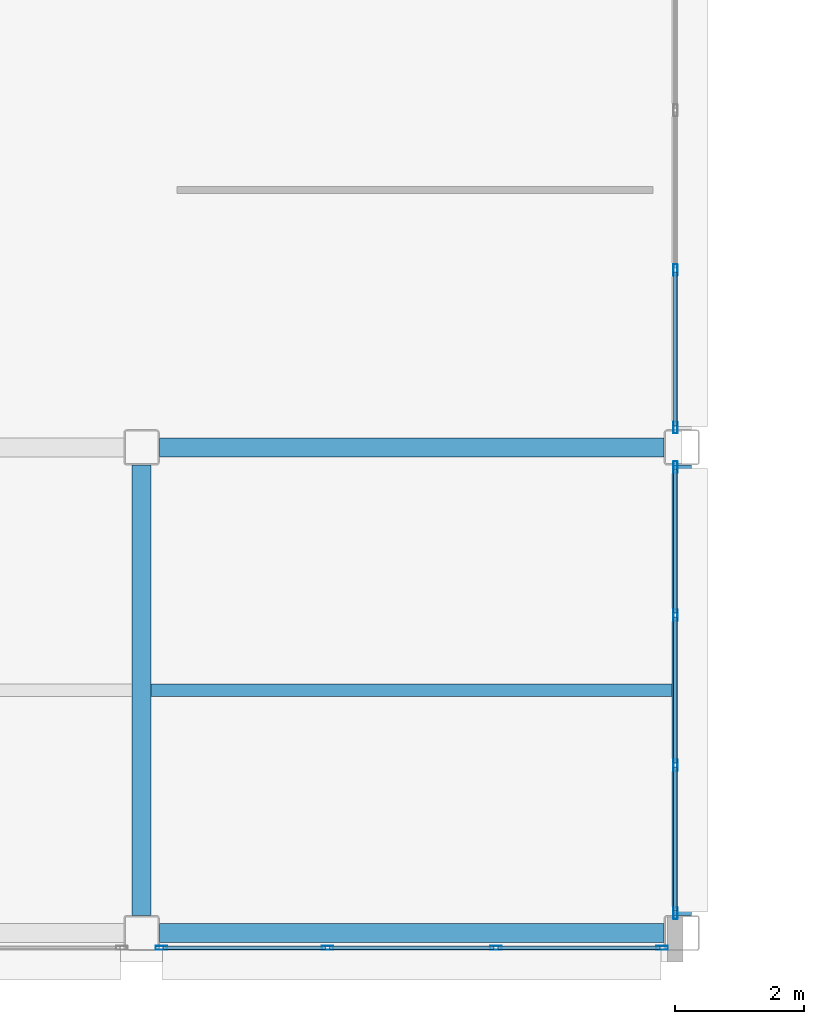
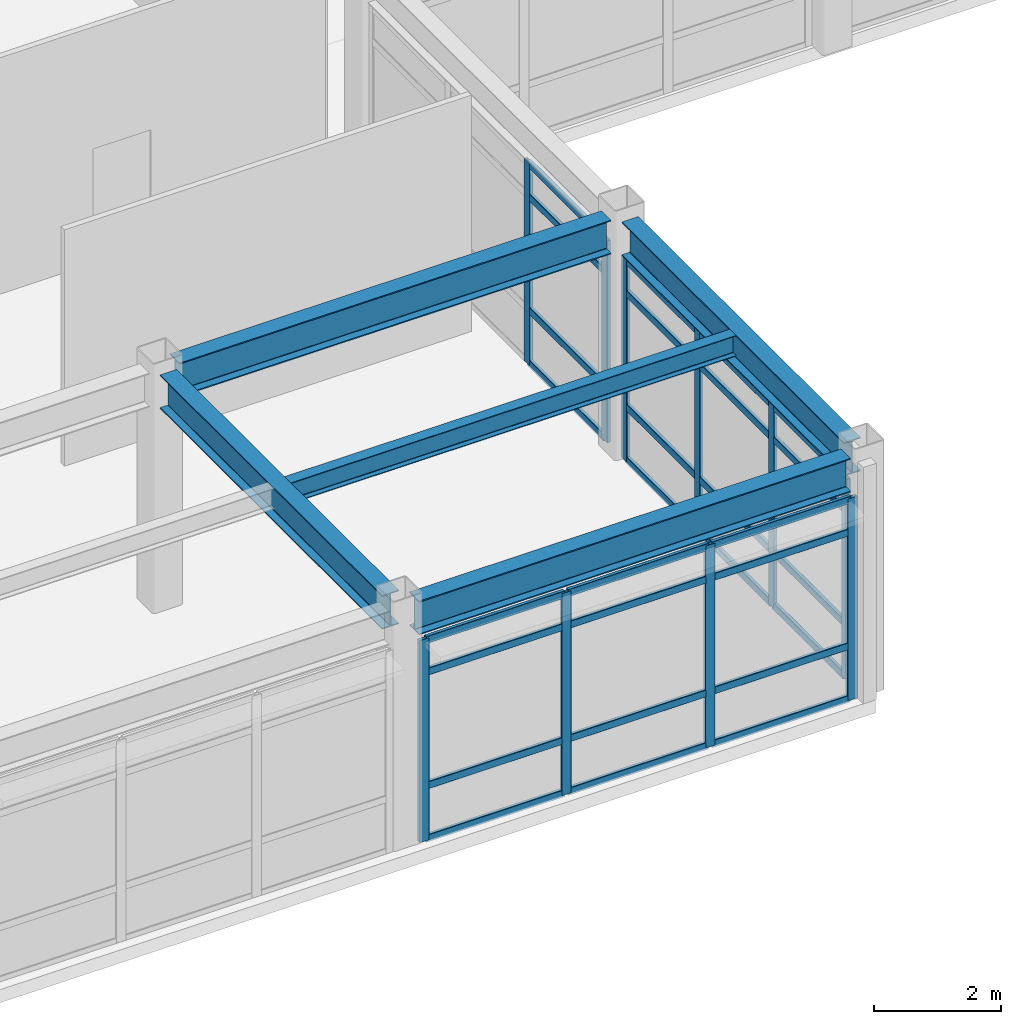
# One storey, part 37 of 154: 38 members, 5 beams, 3 elements without a shape of their own.
"""IFC4 building model written with IfcOpenShell, lengths in metres."""

import ifcopenshell
import ifcopenshell.guid

model = None  # the IFC model being written
_history = None  # IfcOwnerHistory: only IFC2X3 demands one
_inside = {}  # id of a spatial element -> (the spatial element, [elements in it])
_under = {}  # id of a project, library or spatial element -> (it, [spatial elements below it])
_declared = {}  # id of a project -> (the project, [libraries it declares])
_typed = {}  # id of a type object -> (the type object, [elements of that type])
_made_of = {}  # id of a material, layer set ... -> (it, [elements and type objects made of it])


def new_model(schema):
    """Start an empty IFC model of exactly this schema.

    Asked for "IFC4X3", IfcOpenShell would pick the latest addendum, in which some entities
    have other attributes; the version numbers below select the first issue.
    IFC2X3 requires an IfcOwnerHistory on every rooted entity: one is made here for all.
    """
    global model, _history
    if schema == "IFC4X3":
        model = ifcopenshell.file(schema_version=(4, 3, 0, 0))
    else:
        model = ifcopenshell.file(schema=schema)
    _inside.clear()
    _under.clear()
    _declared.clear()
    _typed.clear()
    _made_of.clear()
    _history = None
    if model.schema == "IFC2X3":
        org = make("IfcOrganization", Name="unknown")
        user = make(
            "IfcPersonAndOrganization",
            ThePerson=make("IfcPerson", FamilyName="unknown"),
            TheOrganization=org,
        )
        app = make(
            "IfcApplication",
            ApplicationDeveloper=org,
            Version="unknown",
            ApplicationFullName="unknown",
            ApplicationIdentifier="unknown",
        )
        _history = make(
            "IfcOwnerHistory",
            OwningUser=user,
            OwningApplication=app,
            ChangeAction="ADDED",
            CreationDate=0,
        )
    return model


def make(cls, **values):
    """One entity of the class cls with the attributes given. An attribute that is None is left unset."""
    return model.create_entity(
        cls, **{name: value for name, value in values.items() if value is not None}
    )


def rooted(cls, **values):
    """An entity with a GlobalId (a new one), such as an element, a storey or a relation."""
    return make(cls, GlobalId=ifcopenshell.guid.new(), OwnerHistory=_history, **values)


def si_unit(unit_type, name, prefix=None):
    """IfcSIUnit, for example si_unit("LENGTHUNIT", "METRE", prefix="MILLI")."""
    return make("IfcSIUnit", UnitType=unit_type, Prefix=prefix, Name=name)


def assignment(units):
    """IfcUnitAssignment: the units of a project."""
    return None if units is None else make("IfcUnitAssignment", Units=units)


def point(xyz):
    """IfcCartesianPoint."""
    return None if xyz is None else make("IfcCartesianPoint", Coordinates=xyz)


def direction(xyz):
    """IfcDirection."""
    return None if xyz is None else make("IfcDirection", DirectionRatios=xyz)


def frame(location, z_axis=None, x_axis=None):
    """IfcAxis2Placement3D, a coordinate frame: its origin and axes. An axis left out is left unset."""
    return make(
        "IfcAxis2Placement3D",
        Location=point(location),
        Axis=direction(z_axis),
        RefDirection=direction(x_axis),
    )


def frame_2d(location, x_axis=None):
    """IfcAxis2Placement2D, a coordinate frame in the plane: its origin and x axis."""
    return make(
        "IfcAxis2Placement2D", Location=point(location), RefDirection=direction(x_axis)
    )


def origin():
    """The frame at (0, 0, 0) with its axes left unset."""
    return frame((0.0, 0.0, 0.0))


def origin_2d():
    """The frame at (0, 0) in the plane with its x axis left unset."""
    return frame_2d((0.0, 0.0))


def place(relative_to, where):
    """IfcLocalPlacement: puts the frame where relative to a parent placement (None: the world)."""
    return make(
        "IfcLocalPlacement", PlacementRelTo=relative_to, RelativePlacement=where
    )


def context(
    kind, dimensions, precision=None, world=None, true_north=None, identifier=None
):
    """IfcGeometricRepresentationContext, for example the 3D "Model" context."""
    return make(
        "IfcGeometricRepresentationContext",
        ContextIdentifier=identifier,
        ContextType=kind,
        CoordinateSpaceDimension=dimensions,
        Precision=precision,
        WorldCoordinateSystem=world,
        TrueNorth=true_north,
    )


def subcontext(parent, identifier, kind, view, scale=None):
    """IfcGeometricRepresentationSubContext, for example "Body" below "Model"."""
    return make(
        "IfcGeometricRepresentationSubContext",
        ContextIdentifier=identifier,
        ContextType=kind,
        ParentContext=parent,
        TargetScale=scale,
        TargetView=view,
    )


def project(units=None, contexts=None):
    """IfcProject with its units and contexts."""
    return rooted(
        "IfcProject",
        Name="project",
        RepresentationContexts=contexts,
        UnitsInContext=assignment(units),
    )


def spatial(cls, under=None, at=None, **own):
    """A site, building, storey or space (cls), placed at a placement, below another one or the project."""
    s = rooted(cls, ObjectPlacement=at, **own)
    if under is not None:
        _under.setdefault(under.id(), (under, []))[1].append(s)
    return s


def profile(cls, at=None, kind="AREA", **sizes):
    """A parametric profile (cls). Its sizes go by their IFC names, for example OverallWidth=200.0."""
    return make(cls, ProfileType=kind, Position=at, **sizes)


def hollow_rectangle(**sizes):
    """IfcRectangleHollowProfileDef."""
    return profile("IfcRectangleHollowProfileDef", **sizes)


def i_section(**sizes):
    """IfcIShapeProfileDef."""
    return profile("IfcIShapeProfileDef", **sizes)


def extrude(swept, where, along, depth):
    """IfcExtrudedAreaSolid: the profile swept, set in the frame where, extruded along a direction by depth."""
    return make(
        "IfcExtrudedAreaSolid",
        SweptArea=swept,
        Position=where,
        ExtrudedDirection=direction(along),
        Depth=depth,
    )


def shape(context_of_items, identifier, shape_type, items):
    """IfcShapeRepresentation: the items that make up one representation, for example the "Body"."""
    return make(
        "IfcShapeRepresentation",
        ContextOfItems=context_of_items,
        RepresentationIdentifier=identifier,
        RepresentationType=shape_type,
        Items=items,
    )


def material(Name=None, Category=None):
    """IfcMaterial."""
    return make("IfcMaterial", Name=Name, Category=Category)


def layer(
    of_material, thickness, ventilated=None, Name=None, Category=None, Priority=None
):
    """IfcMaterialLayer: one layer of a wall or slab, of a material (None: an air gap)."""
    return make(
        "IfcMaterialLayer",
        Material=of_material,
        LayerThickness=thickness,
        IsVentilated=ventilated,
        Name=Name,
        Category=Category,
        Priority=Priority,
    )


def layer_set(layers, Name=None):
    """IfcMaterialLayerSet."""
    return make("IfcMaterialLayerSet", MaterialLayers=layers, LayerSetName=Name)


def material_profile(
    of_material, cross_section, Name=None, Category=None, Priority=None
):
    """IfcMaterialProfile: a cross section and its material."""
    return make(
        "IfcMaterialProfile",
        Name=Name,
        Material=of_material,
        Profile=cross_section,
        Priority=Priority,
        Category=Category,
    )


def profile_set(profiles, Name=None, composite=None):
    """IfcMaterialProfileSet."""
    return make(
        "IfcMaterialProfileSet",
        Name=Name,
        MaterialProfiles=profiles,
        CompositeProfile=composite,
    )


def made_of(thing, what):
    """Note that an element or type object is made of a material, layer set ...; save() writes the relation."""
    if what is not None:
        _made_of.setdefault(what.id(), (what, []))[1].append(thing)
    return thing


def type_object(cls, material=None, **own):
    """A type object (cls), such as IfcWallType, which elements share."""
    return made_of(rooted(cls, **own), material)


def element(
    cls,
    number,
    at=None,
    inside=None,
    cuts=None,
    type_object=None,
    material=None,
    context=None,
    identifier="Body",
    shape_type=None,
    held_by="IfcProductDefinitionShape",
    body=None,
    shapes=None,
    **own,
):
    """One element of the class cls, such as IfcWall. Its Tag is "e" and its number.

    at: its placement. inside: the storey or other place that contains it. cuts: it is an
    opening in that element (IfcRelVoidsElement). A single representation is given by context,
    identifier, shape_type and body (its items); several are given by shapes. held_by: the class
    of the entity that holds the representations. save() writes the other relations.
    """
    e = rooted(cls, Tag="e%d" % number, ObjectPlacement=at, **own)
    if body is not None:
        shapes = [shape(context, identifier, shape_type, body)]
    if shapes is not None:
        e.Representation = make(held_by, Representations=shapes)
    if inside is not None:
        _inside.setdefault(inside.id(), (inside, []))[1].append(e)
    if cuts is not None:
        rooted(
            "IfcRelVoidsElement", RelatingBuildingElement=cuts, RelatedOpeningElement=e
        )
    if type_object is not None:
        _typed.setdefault(type_object.id(), (type_object, []))[1].append(e)
    return made_of(e, material)


def aggregate(whole, parts):
    """IfcRelAggregates: a whole, such as a stair, and the parts it consists of."""
    return rooted("IfcRelAggregates", RelatingObject=whole, RelatedObjects=parts)


def save(model, path):
    """Write the relations noted so far, then the file.

    IfcRelAggregates (storeys below a building ...), IfcRelContainedInSpatialStructure (elements
    in a storey), IfcRelDefinesByType, IfcRelAssociatesMaterial and IfcRelDeclares: one each for
    every whole, place, type object, material and project.
    """
    for whole, parts in _under.values():
        aggregate(whole, parts)
    for where, things in _inside.values():
        rooted(
            "IfcRelContainedInSpatialStructure",
            RelatedElements=things,
            RelatingStructure=where,
        )
    for kind, things in _typed.values():
        rooted("IfcRelDefinesByType", RelatedObjects=things, RelatingType=kind)
    for what, things in _made_of.values():
        rooted("IfcRelAssociatesMaterial", RelatedObjects=things, RelatingMaterial=what)
    for by, libraries in _declared.values():
        rooted("IfcRelDeclares", RelatingContext=by, RelatedDefinitions=libraries)
    model.write(path)


model = new_model("IFC4")

# Units and contexts
model_context = context("Model", 3, precision=1e-05, world=origin(), true_north=direction((0.0, 1.0)))
body_context = subcontext(model_context, "Body", "Model", "MODEL_VIEW")
ifc_project = project(units=[si_unit("LENGTHUNIT", "METRE"), si_unit("AREAUNIT", "SQUARE_METRE"), si_unit("VOLUMEUNIT", "CUBIC_METRE"), si_unit("PLANEANGLEUNIT", "RADIAN"), si_unit("MASSUNIT", "GRAM", prefix="KILO")], contexts=[model_context])

# Site, building, storey
site_placement = place(None, origin())
site = spatial("IfcSite", under=ifc_project, at=site_placement, CompositionType="ELEMENT")
building_placement = place(site_placement, origin())
building = spatial("IfcBuilding", under=site, at=building_placement, Name="Kazehara Bluff Congress Hotel", CompositionType="ELEMENT")
storey_placement = place(building_placement, frame((0.0, 0.0, 10.199951171875)))
storey = spatial("IfcBuildingStorey", under=building, at=storey_placement, Name="L02", CompositionType="ELEMENT", Elevation=10.199951171875)

# Curtain wall, members
ifc_material_1 = material(Name="Anodised aluminium", Category="aluminium")
ifc_layer_1 = layer(ifc_material_1, 0.159912109375)
ifc_layer_set_1 = layer_set([ifc_layer_1], Name="Anodised aluminium")
curtain_wall_type_1 = type_object("IfcCurtainWallType", Name="TP-CW-117", PredefinedType="NOTDEFINED", material=ifc_layer_set_1)
curtain_wall_1_placement = place(storey_placement, origin())
curtain_wall_1 = element("IfcCurtainWall", 1, at=curtain_wall_1_placement, inside=storey, type_object=curtain_wall_type_1, Name="L02 curtain wall CW-117 CW-ENC-V4-L02-7185-22", PredefinedType="NOTDEFINED")
ifc_material_2 = material(Name="Anodised aluminium", Category="aluminium")
ifc_material_profile_1 = material_profile(ifc_material_2, hollow_rectangle(XDim=0.06494140625, YDim=0.179931640625, WallThickness=0.00390625, InnerFilletRadius=0.00390625, OuterFilletRadius=0.008056640625, at=origin_2d()))
ifc_profile_set_1 = profile_set([ifc_material_profile_1], Name="Anodised aluminium")
member_type_1 = type_object("IfcMemberType", Name="TP-CWM-02", PredefinedType="MULLION", material=ifc_profile_set_1)
member_1_placement = place(storey_placement, frame((75.742431640625, 0.219970703125, 0.0), z_axis=(0.0, 0.0, 1.0), x_axis=(0.0, -1.0, 0.0)))
member_1 = element("IfcMember", 2, at=member_1_placement, type_object=member_type_1, Name="CW-117 mullion 1", PredefinedType="MULLION", context=body_context, shape_type="SweptSolid", body=[
    extrude(hollow_rectangle(XDim=0.06494140625, YDim=0.179931640625, WallThickness=0.00390625, InnerFilletRadius=0.00390625, OuterFilletRadius=0.008056640625, at=origin_2d()), origin(), (0.0, 0.0, 1.0), 3.885009765625),
])
member_2_placement = place(storey_placement, frame((73.158447265625, 0.219970703125, 0.0), z_axis=(0.0, 0.0, 1.0), x_axis=(0.0, -1.0, 0.0)))
member_2 = element("IfcMember", 3, at=member_2_placement, type_object=member_type_1, Name="CW-117 mullion 2", PredefinedType="MULLION", context=body_context, shape_type="SweptSolid", body=[
    extrude(hollow_rectangle(XDim=0.06494140625, YDim=0.179931640625, WallThickness=0.00390625, InnerFilletRadius=0.00390625, OuterFilletRadius=0.008056640625, at=origin_2d()), origin(), (0.0, 0.0, 1.0), 3.885009765625),
])
member_3_placement = place(storey_placement, frame((70.541748046875, 0.219970703125, 0.0), z_axis=(0.0, 0.0, 1.0), x_axis=(0.0, -1.0, 0.0)))
member_3 = element("IfcMember", 4, at=member_3_placement, type_object=member_type_1, Name="CW-117 mullion 3", PredefinedType="MULLION", context=body_context, shape_type="SweptSolid", body=[
    extrude(hollow_rectangle(XDim=0.06494140625, YDim=0.179931640625, WallThickness=0.00390625, InnerFilletRadius=0.00390625, OuterFilletRadius=0.008056640625, at=origin_2d()), origin(), (0.0, 0.0, 1.0), 3.885009765625),
])
member_4_placement = place(storey_placement, frame((67.95751953125, 0.219970703125, 0.0), z_axis=(0.0, 0.0, 1.0), x_axis=(0.0, -1.0, 0.0)))
member_4 = element("IfcMember", 5, at=member_4_placement, type_object=member_type_1, Name="CW-117 mullion 4", PredefinedType="MULLION", context=body_context, shape_type="SweptSolid", body=[
    extrude(hollow_rectangle(XDim=0.06494140625, YDim=0.179931640625, WallThickness=0.00390625, InnerFilletRadius=0.00390625, OuterFilletRadius=0.008056640625, at=origin_2d()), origin(), (0.0, 0.0, 1.0), 3.885009765625),
])

ifc_material_3 = material(Name="Anodised aluminium", Category="aluminium")
ifc_layer_2 = layer(ifc_material_3, 0.159912109375)
ifc_layer_set_2 = layer_set([ifc_layer_2], Name="Anodised aluminium")
curtain_wall_type_2 = type_object("IfcCurtainWallType", Name="TP-CW-139", PredefinedType="NOTDEFINED", material=ifc_layer_set_2)
curtain_wall_2_placement = place(storey_placement, origin())
curtain_wall_2 = element("IfcCurtainWall", 6, at=curtain_wall_2_placement, inside=storey, type_object=curtain_wall_type_2, Name="L02 curtain wall CW-139 CW-ENC-V4-L02-7595-422", PredefinedType="NOTDEFINED")
member_5_placement = place(storey_placement, frame((75.949951171875, 7.6923828125, 0.0), z_axis=(0.0, 0.0, 1.0), x_axis=(1.0, 0.0, 0.0)))
member_5 = element("IfcMember", 7, at=member_5_placement, type_object=member_type_1, Name="CW-139 mullion 1", PredefinedType="MULLION", context=body_context, shape_type="SweptSolid", body=[
    extrude(hollow_rectangle(XDim=0.06494140625, YDim=0.179931640625, WallThickness=0.00390625, InnerFilletRadius=0.00390625, OuterFilletRadius=0.008056640625, at=origin_2d()), origin(), (0.0, 0.0, 1.0), 3.885009765625),
])
member_6_placement = place(storey_placement, frame((75.949951171875, 5.3916015625, 0.0), z_axis=(0.0, 0.0, 1.0), x_axis=(1.0, 0.0, 0.0)))
member_6 = element("IfcMember", 8, at=member_6_placement, type_object=member_type_1, Name="CW-139 mullion 2", PredefinedType="MULLION", context=body_context, shape_type="SweptSolid", body=[
    extrude(hollow_rectangle(XDim=0.06494140625, YDim=0.179931640625, WallThickness=0.00390625, InnerFilletRadius=0.00390625, OuterFilletRadius=0.008056640625, at=origin_2d()), origin(), (0.0, 0.0, 1.0), 3.885009765625),
])
member_7_placement = place(storey_placement, frame((75.949951171875, 3.058349609375, 0.0), z_axis=(0.0, 0.0, 1.0), x_axis=(1.0, 0.0, 0.0)))
member_7 = element("IfcMember", 9, at=member_7_placement, type_object=member_type_1, Name="CW-139 mullion 3", PredefinedType="MULLION", context=body_context, shape_type="SweptSolid", body=[
    extrude(hollow_rectangle(XDim=0.06494140625, YDim=0.179931640625, WallThickness=0.00390625, InnerFilletRadius=0.00390625, OuterFilletRadius=0.008056640625, at=origin_2d()), origin(), (0.0, 0.0, 1.0), 3.885009765625),
])
member_8_placement = place(storey_placement, frame((75.949951171875, 0.757568359375, 0.0), z_axis=(0.0, 0.0, 1.0), x_axis=(1.0, 0.0, 0.0)))
member_8 = element("IfcMember", 10, at=member_8_placement, type_object=member_type_1, Name="CW-139 mullion 4", PredefinedType="MULLION", context=body_context, shape_type="SweptSolid", body=[
    extrude(hollow_rectangle(XDim=0.06494140625, YDim=0.179931640625, WallThickness=0.00390625, InnerFilletRadius=0.00390625, OuterFilletRadius=0.008056640625, at=origin_2d()), origin(), (0.0, 0.0, 1.0), 3.885009765625),
])

ifc_material_4 = material(Name="Anodised aluminium", Category="aluminium")
ifc_layer_3 = layer(ifc_material_4, 0.159912109375)
ifc_layer_set_3 = layer_set([ifc_layer_3], Name="Anodised aluminium")
curtain_wall_type_3 = type_object("IfcCurtainWallType", Name="TP-CW-140", PredefinedType="NOTDEFINED", material=ifc_layer_set_3)
curtain_wall_3_placement = place(storey_placement, origin())
curtain_wall_3 = element("IfcCurtainWall", 11, at=curtain_wall_3_placement, inside=storey, type_object=curtain_wall_type_3, Name="L02 curtain wall CW-140 CW-ENC-V4-L02-7595-1200", PredefinedType="NOTDEFINED")
member_9_placement = place(storey_placement, frame((75.949951171875, 10.75830078125, 0.0), z_axis=(0.0, 0.0, 1.0), x_axis=(1.0, 0.0, 0.0)))
member_9 = element("IfcMember", 12, at=member_9_placement, type_object=member_type_1, Name="CW-140 mullion 3", PredefinedType="MULLION", context=body_context, shape_type="SweptSolid", body=[
    extrude(hollow_rectangle(XDim=0.06494140625, YDim=0.179931640625, WallThickness=0.00390625, InnerFilletRadius=0.00390625, OuterFilletRadius=0.008056640625, at=origin_2d()), origin(), (0.0, 0.0, 1.0), 3.885009765625),
])
member_10_placement = place(storey_placement, frame((75.949951171875, 8.3076171875, 0.0), z_axis=(0.0, 0.0, 1.0), x_axis=(1.0, 0.0, 0.0)))
member_10 = element("IfcMember", 13, at=member_10_placement, type_object=member_type_1, Name="CW-140 mullion 4", PredefinedType="MULLION", context=body_context, shape_type="SweptSolid", body=[
    extrude(hollow_rectangle(XDim=0.06494140625, YDim=0.179931640625, WallThickness=0.00390625, InnerFilletRadius=0.00390625, OuterFilletRadius=0.008056640625, at=origin_2d()), origin(), (0.0, 0.0, 1.0), 3.885009765625),
])

# Member
ifc_material_5 = material(Name="Anodised aluminium", Category="aluminium")
ifc_material_profile_2 = material_profile(ifc_material_5, hollow_rectangle(XDim=0.06494140625, YDim=0.139892578125, WallThickness=0.00390625, InnerFilletRadius=0.00390625, OuterFilletRadius=0.008056640625, at=origin_2d()))
ifc_profile_set_2 = profile_set([ifc_material_profile_2], Name="Anodised aluminium")
member_type_2 = type_object("IfcMemberType", Name="TP-CWT-02", PredefinedType="USERDEFINED", material=ifc_profile_set_2)
member_11_placement = place(storey_placement, frame((75.7099609375, 0.219970703125, 0.032470703125), z_axis=(-1.0, 0.0, 0.0), x_axis=(0.0, -1.0, 0.0)))
member_11 = element("IfcMember", 14, at=member_11_placement, type_object=member_type_2, Name="CW-117 transom 1.1", ObjectType="TRANSOM", PredefinedType="USERDEFINED", context=body_context, shape_type="SweptSolid", body=[
    extrude(hollow_rectangle(XDim=0.06494140625, YDim=0.139892578125, WallThickness=0.00390625, InnerFilletRadius=0.00390625, OuterFilletRadius=0.008056640625, at=origin_2d()), origin(), (0.0, 0.0, 1.0), 2.51904296875),
])

member_12_placement = place(storey_placement, frame((75.7099609375, 0.219970703125, 1.050048828125), z_axis=(-1.0, 0.0, 0.0), x_axis=(0.0, -1.0, 0.0)))
member_12 = element("IfcMember", 15, at=member_12_placement, type_object=member_type_2, Name="CW-117 transom 1.2", ObjectType="TRANSOM", PredefinedType="USERDEFINED", context=body_context, shape_type="SweptSolid", body=[
    extrude(hollow_rectangle(XDim=0.06494140625, YDim=0.139892578125, WallThickness=0.00390625, InnerFilletRadius=0.00390625, OuterFilletRadius=0.008056640625, at=origin_2d()), origin(), (0.0, 0.0, 1.0), 2.51904296875),
])

member_13_placement = place(storey_placement, frame((75.7099609375, 0.219970703125, 3.235107421875), z_axis=(-1.0, 0.0, 0.0), x_axis=(0.0, -1.0, 0.0)))
member_13 = element("IfcMember", 16, at=member_13_placement, type_object=member_type_2, Name="CW-117 transom 1.3", ObjectType="TRANSOM", PredefinedType="USERDEFINED", context=body_context, shape_type="SweptSolid", body=[
    extrude(hollow_rectangle(XDim=0.06494140625, YDim=0.139892578125, WallThickness=0.00390625, InnerFilletRadius=0.00390625, OuterFilletRadius=0.008056640625, at=origin_2d()), origin(), (0.0, 0.0, 1.0), 2.51904296875),
])

member_14_placement = place(storey_placement, frame((75.7099609375, 0.219970703125, 3.8525390625), z_axis=(-1.0, 0.0, 0.0), x_axis=(0.0, -1.0, 0.0)))
member_14 = element("IfcMember", 17, at=member_14_placement, type_object=member_type_2, Name="CW-117 transom 1.4", ObjectType="TRANSOM", PredefinedType="USERDEFINED", context=body_context, shape_type="SweptSolid", body=[
    extrude(hollow_rectangle(XDim=0.06494140625, YDim=0.139892578125, WallThickness=0.00390625, InnerFilletRadius=0.00390625, OuterFilletRadius=0.008056640625, at=origin_2d()), origin(), (0.0, 0.0, 1.0), 2.51904296875),
])

member_15_placement = place(storey_placement, frame((73.125732421875, 0.219970703125, 0.032470703125), z_axis=(-1.0, 0.0, 0.0), x_axis=(0.0, -1.0, 0.0)))
member_15 = element("IfcMember", 18, at=member_15_placement, type_object=member_type_2, Name="CW-117 transom 2.1", ObjectType="TRANSOM", PredefinedType="USERDEFINED", context=body_context, shape_type="SweptSolid", body=[
    extrude(hollow_rectangle(XDim=0.06494140625, YDim=0.139892578125, WallThickness=0.00390625, InnerFilletRadius=0.00390625, OuterFilletRadius=0.008056640625, at=origin_2d()), origin(), (0.0, 0.0, 1.0), 2.551513671875),
])

member_16_placement = place(storey_placement, frame((73.125732421875, 0.219970703125, 1.050048828125), z_axis=(-1.0, 0.0, 0.0), x_axis=(0.0, -1.0, 0.0)))
member_16 = element("IfcMember", 19, at=member_16_placement, type_object=member_type_2, Name="CW-117 transom 2.2", ObjectType="TRANSOM", PredefinedType="USERDEFINED", context=body_context, shape_type="SweptSolid", body=[
    extrude(hollow_rectangle(XDim=0.06494140625, YDim=0.139892578125, WallThickness=0.00390625, InnerFilletRadius=0.00390625, OuterFilletRadius=0.008056640625, at=origin_2d()), origin(), (0.0, 0.0, 1.0), 2.551513671875),
])

member_17_placement = place(storey_placement, frame((73.125732421875, 0.219970703125, 3.235107421875), z_axis=(-1.0, 0.0, 0.0), x_axis=(0.0, -1.0, 0.0)))
member_17 = element("IfcMember", 20, at=member_17_placement, type_object=member_type_2, Name="CW-117 transom 2.3", ObjectType="TRANSOM", PredefinedType="USERDEFINED", context=body_context, shape_type="SweptSolid", body=[
    extrude(hollow_rectangle(XDim=0.06494140625, YDim=0.139892578125, WallThickness=0.00390625, InnerFilletRadius=0.00390625, OuterFilletRadius=0.008056640625, at=origin_2d()), origin(), (0.0, 0.0, 1.0), 2.551513671875),
])

member_18_placement = place(storey_placement, frame((73.125732421875, 0.219970703125, 3.8525390625), z_axis=(-1.0, 0.0, 0.0), x_axis=(0.0, -1.0, 0.0)))
member_18 = element("IfcMember", 21, at=member_18_placement, type_object=member_type_2, Name="CW-117 transom 2.4", ObjectType="TRANSOM", PredefinedType="USERDEFINED", context=body_context, shape_type="SweptSolid", body=[
    extrude(hollow_rectangle(XDim=0.06494140625, YDim=0.139892578125, WallThickness=0.00390625, InnerFilletRadius=0.00390625, OuterFilletRadius=0.008056640625, at=origin_2d()), origin(), (0.0, 0.0, 1.0), 2.551513671875),
])

member_19_placement = place(storey_placement, frame((70.50927734375, 0.219970703125, 0.032470703125), z_axis=(-1.0, 0.0, 0.0), x_axis=(0.0, -1.0, 0.0)))
member_19 = element("IfcMember", 22, at=member_19_placement, type_object=member_type_2, Name="CW-117 transom 3.1", ObjectType="TRANSOM", PredefinedType="USERDEFINED", context=body_context, shape_type="SweptSolid", body=[
    extrude(hollow_rectangle(XDim=0.06494140625, YDim=0.139892578125, WallThickness=0.00390625, InnerFilletRadius=0.00390625, OuterFilletRadius=0.008056640625, at=origin_2d()), origin(), (0.0, 0.0, 1.0), 2.519287109375),
])

member_20_placement = place(storey_placement, frame((70.50927734375, 0.219970703125, 1.050048828125), z_axis=(-1.0, 0.0, 0.0), x_axis=(0.0, -1.0, 0.0)))
member_20 = element("IfcMember", 23, at=member_20_placement, type_object=member_type_2, Name="CW-117 transom 3.2", ObjectType="TRANSOM", PredefinedType="USERDEFINED", context=body_context, shape_type="SweptSolid", body=[
    extrude(hollow_rectangle(XDim=0.06494140625, YDim=0.139892578125, WallThickness=0.00390625, InnerFilletRadius=0.00390625, OuterFilletRadius=0.008056640625, at=origin_2d()), origin(), (0.0, 0.0, 1.0), 2.519287109375),
])

member_21_placement = place(storey_placement, frame((70.50927734375, 0.219970703125, 3.235107421875), z_axis=(-1.0, 0.0, 0.0), x_axis=(0.0, -1.0, 0.0)))
member_21 = element("IfcMember", 24, at=member_21_placement, type_object=member_type_2, Name="CW-117 transom 3.3", ObjectType="TRANSOM", PredefinedType="USERDEFINED", context=body_context, shape_type="SweptSolid", body=[
    extrude(hollow_rectangle(XDim=0.06494140625, YDim=0.139892578125, WallThickness=0.00390625, InnerFilletRadius=0.00390625, OuterFilletRadius=0.008056640625, at=origin_2d()), origin(), (0.0, 0.0, 1.0), 2.519287109375),
])

member_22_placement = place(storey_placement, frame((70.50927734375, 0.219970703125, 3.8525390625), z_axis=(-1.0, 0.0, 0.0), x_axis=(0.0, -1.0, 0.0)))
member_22 = element("IfcMember", 25, at=member_22_placement, type_object=member_type_2, Name="CW-117 transom 3.4", ObjectType="TRANSOM", PredefinedType="USERDEFINED", context=body_context, shape_type="SweptSolid", body=[
    extrude(hollow_rectangle(XDim=0.06494140625, YDim=0.139892578125, WallThickness=0.00390625, InnerFilletRadius=0.00390625, OuterFilletRadius=0.008056640625, at=origin_2d()), origin(), (0.0, 0.0, 1.0), 2.519287109375),
])

aggregate(curtain_wall_1, [member_1, member_2, member_3, member_4, member_11, member_12, member_13, member_14, member_15, member_16, member_17, member_18, member_19, member_20, member_21, member_22])

member_23_placement = place(storey_placement, frame((75.949951171875, 7.659912109375, 0.032470703125), z_axis=(0.0, -1.0, 0.0), x_axis=(1.0, 0.0, 0.0)))
member_23 = element("IfcMember", 26, at=member_23_placement, type_object=member_type_2, Name="CW-139 transom 1.1", ObjectType="TRANSOM", PredefinedType="USERDEFINED", context=body_context, shape_type="SweptSolid", body=[
    extrude(hollow_rectangle(XDim=0.06494140625, YDim=0.139892578125, WallThickness=0.00390625, InnerFilletRadius=0.00390625, OuterFilletRadius=0.008056640625, at=origin_2d()), origin(), (0.0, 0.0, 1.0), 2.23583984375),
])

member_24_placement = place(storey_placement, frame((75.949951171875, 7.659912109375, 1.050048828125), z_axis=(0.0, -1.0, 0.0), x_axis=(1.0, 0.0, 0.0)))
member_24 = element("IfcMember", 27, at=member_24_placement, type_object=member_type_2, Name="CW-139 transom 1.2", ObjectType="TRANSOM", PredefinedType="USERDEFINED", context=body_context, shape_type="SweptSolid", body=[
    extrude(hollow_rectangle(XDim=0.06494140625, YDim=0.139892578125, WallThickness=0.00390625, InnerFilletRadius=0.00390625, OuterFilletRadius=0.008056640625, at=origin_2d()), origin(), (0.0, 0.0, 1.0), 2.23583984375),
])

member_25_placement = place(storey_placement, frame((75.949951171875, 7.659912109375, 3.235107421875), z_axis=(0.0, -1.0, 0.0), x_axis=(1.0, 0.0, 0.0)))
member_25 = element("IfcMember", 28, at=member_25_placement, type_object=member_type_2, Name="CW-139 transom 1.3", ObjectType="TRANSOM", PredefinedType="USERDEFINED", context=body_context, shape_type="SweptSolid", body=[
    extrude(hollow_rectangle(XDim=0.06494140625, YDim=0.139892578125, WallThickness=0.00390625, InnerFilletRadius=0.00390625, OuterFilletRadius=0.008056640625, at=origin_2d()), origin(), (0.0, 0.0, 1.0), 2.23583984375),
])

member_26_placement = place(storey_placement, frame((75.949951171875, 7.659912109375, 3.8525390625), z_axis=(0.0, -1.0, 0.0), x_axis=(1.0, 0.0, 0.0)))
member_26 = element("IfcMember", 29, at=member_26_placement, type_object=member_type_2, Name="CW-139 transom 1.4", ObjectType="TRANSOM", PredefinedType="USERDEFINED", context=body_context, shape_type="SweptSolid", body=[
    extrude(hollow_rectangle(XDim=0.06494140625, YDim=0.139892578125, WallThickness=0.00390625, InnerFilletRadius=0.00390625, OuterFilletRadius=0.008056640625, at=origin_2d()), origin(), (0.0, 0.0, 1.0), 2.23583984375),
])

member_27_placement = place(storey_placement, frame((75.949951171875, 5.359130859375, 0.032470703125), z_axis=(0.0, -1.0, 0.0), x_axis=(1.0, 0.0, 0.0)))
member_27 = element("IfcMember", 30, at=member_27_placement, type_object=member_type_2, Name="CW-139 transom 2.1", ObjectType="TRANSOM", PredefinedType="USERDEFINED", context=body_context, shape_type="SweptSolid", body=[
    extrude(hollow_rectangle(XDim=0.06494140625, YDim=0.139892578125, WallThickness=0.00390625, InnerFilletRadius=0.00390625, OuterFilletRadius=0.008056640625, at=origin_2d()), origin(), (0.0, 0.0, 1.0), 2.268310546875),
])

member_28_placement = place(storey_placement, frame((75.949951171875, 5.359130859375, 1.050048828125), z_axis=(0.0, -1.0, 0.0), x_axis=(1.0, 0.0, 0.0)))
member_28 = element("IfcMember", 31, at=member_28_placement, type_object=member_type_2, Name="CW-139 transom 2.2", ObjectType="TRANSOM", PredefinedType="USERDEFINED", context=body_context, shape_type="SweptSolid", body=[
    extrude(hollow_rectangle(XDim=0.06494140625, YDim=0.139892578125, WallThickness=0.00390625, InnerFilletRadius=0.00390625, OuterFilletRadius=0.008056640625, at=origin_2d()), origin(), (0.0, 0.0, 1.0), 2.268310546875),
])

member_29_placement = place(storey_placement, frame((75.949951171875, 5.359130859375, 3.235107421875), z_axis=(0.0, -1.0, 0.0), x_axis=(1.0, 0.0, 0.0)))
member_29 = element("IfcMember", 32, at=member_29_placement, type_object=member_type_2, Name="CW-139 transom 2.3", ObjectType="TRANSOM", PredefinedType="USERDEFINED", context=body_context, shape_type="SweptSolid", body=[
    extrude(hollow_rectangle(XDim=0.06494140625, YDim=0.139892578125, WallThickness=0.00390625, InnerFilletRadius=0.00390625, OuterFilletRadius=0.008056640625, at=origin_2d()), origin(), (0.0, 0.0, 1.0), 2.268310546875),
])

member_30_placement = place(storey_placement, frame((75.949951171875, 5.359130859375, 3.8525390625), z_axis=(0.0, -1.0, 0.0), x_axis=(1.0, 0.0, 0.0)))
member_30 = element("IfcMember", 33, at=member_30_placement, type_object=member_type_2, Name="CW-139 transom 2.4", ObjectType="TRANSOM", PredefinedType="USERDEFINED", context=body_context, shape_type="SweptSolid", body=[
    extrude(hollow_rectangle(XDim=0.06494140625, YDim=0.139892578125, WallThickness=0.00390625, InnerFilletRadius=0.00390625, OuterFilletRadius=0.008056640625, at=origin_2d()), origin(), (0.0, 0.0, 1.0), 2.268310546875),
])

member_31_placement = place(storey_placement, frame((75.949951171875, 3.02587890625, 0.032470703125), z_axis=(0.0, -1.0, 0.0), x_axis=(1.0, 0.0, 0.0)))
member_31 = element("IfcMember", 34, at=member_31_placement, type_object=member_type_2, Name="CW-139 transom 3.1", ObjectType="TRANSOM", PredefinedType="USERDEFINED", context=body_context, shape_type="SweptSolid", body=[
    extrude(hollow_rectangle(XDim=0.06494140625, YDim=0.139892578125, WallThickness=0.00390625, InnerFilletRadius=0.00390625, OuterFilletRadius=0.008056640625, at=origin_2d()), origin(), (0.0, 0.0, 1.0), 2.23583984375),
])

member_32_placement = place(storey_placement, frame((75.949951171875, 3.02587890625, 1.050048828125), z_axis=(0.0, -1.0, 0.0), x_axis=(1.0, 0.0, 0.0)))
member_32 = element("IfcMember", 35, at=member_32_placement, type_object=member_type_2, Name="CW-139 transom 3.2", ObjectType="TRANSOM", PredefinedType="USERDEFINED", context=body_context, shape_type="SweptSolid", body=[
    extrude(hollow_rectangle(XDim=0.06494140625, YDim=0.139892578125, WallThickness=0.00390625, InnerFilletRadius=0.00390625, OuterFilletRadius=0.008056640625, at=origin_2d()), origin(), (0.0, 0.0, 1.0), 2.23583984375),
])

member_33_placement = place(storey_placement, frame((75.949951171875, 3.02587890625, 3.235107421875), z_axis=(0.0, -1.0, 0.0), x_axis=(1.0, 0.0, 0.0)))
member_33 = element("IfcMember", 36, at=member_33_placement, type_object=member_type_2, Name="CW-139 transom 3.3", ObjectType="TRANSOM", PredefinedType="USERDEFINED", context=body_context, shape_type="SweptSolid", body=[
    extrude(hollow_rectangle(XDim=0.06494140625, YDim=0.139892578125, WallThickness=0.00390625, InnerFilletRadius=0.00390625, OuterFilletRadius=0.008056640625, at=origin_2d()), origin(), (0.0, 0.0, 1.0), 2.23583984375),
])

member_34_placement = place(storey_placement, frame((75.949951171875, 3.02587890625, 3.8525390625), z_axis=(0.0, -1.0, 0.0), x_axis=(1.0, 0.0, 0.0)))
member_34 = element("IfcMember", 37, at=member_34_placement, type_object=member_type_2, Name="CW-139 transom 3.4", ObjectType="TRANSOM", PredefinedType="USERDEFINED", context=body_context, shape_type="SweptSolid", body=[
    extrude(hollow_rectangle(XDim=0.06494140625, YDim=0.139892578125, WallThickness=0.00390625, InnerFilletRadius=0.00390625, OuterFilletRadius=0.008056640625, at=origin_2d()), origin(), (0.0, 0.0, 1.0), 2.23583984375),
])

aggregate(curtain_wall_2, [member_5, member_6, member_7, member_8, member_23, member_24, member_25, member_26, member_27, member_28, member_29, member_30, member_31, member_32, member_33, member_34])

member_35_placement = place(storey_placement, frame((75.949951171875, 10.725830078125, 0.032470703125), z_axis=(0.0, -1.0, 0.0), x_axis=(1.0, 0.0, 0.0)))
member_35 = element("IfcMember", 38, at=member_35_placement, type_object=member_type_2, Name="CW-140 transom 3.1", ObjectType="TRANSOM", PredefinedType="USERDEFINED", context=body_context, shape_type="SweptSolid", body=[
    extrude(hollow_rectangle(XDim=0.06494140625, YDim=0.139892578125, WallThickness=0.00390625, InnerFilletRadius=0.00390625, OuterFilletRadius=0.008056640625, at=origin_2d()), origin(), (0.0, 0.0, 1.0), 2.3857421875),
])

member_36_placement = place(storey_placement, frame((75.949951171875, 10.725830078125, 1.050048828125), z_axis=(0.0, -1.0, 0.0), x_axis=(1.0, 0.0, 0.0)))
member_36 = element("IfcMember", 39, at=member_36_placement, type_object=member_type_2, Name="CW-140 transom 3.2", ObjectType="TRANSOM", PredefinedType="USERDEFINED", context=body_context, shape_type="SweptSolid", body=[
    extrude(hollow_rectangle(XDim=0.06494140625, YDim=0.139892578125, WallThickness=0.00390625, InnerFilletRadius=0.00390625, OuterFilletRadius=0.008056640625, at=origin_2d()), origin(), (0.0, 0.0, 1.0), 2.3857421875),
])

member_37_placement = place(storey_placement, frame((75.949951171875, 10.725830078125, 3.235107421875), z_axis=(0.0, -1.0, 0.0), x_axis=(1.0, 0.0, 0.0)))
member_37 = element("IfcMember", 40, at=member_37_placement, type_object=member_type_2, Name="CW-140 transom 3.3", ObjectType="TRANSOM", PredefinedType="USERDEFINED", context=body_context, shape_type="SweptSolid", body=[
    extrude(hollow_rectangle(XDim=0.06494140625, YDim=0.139892578125, WallThickness=0.00390625, InnerFilletRadius=0.00390625, OuterFilletRadius=0.008056640625, at=origin_2d()), origin(), (0.0, 0.0, 1.0), 2.3857421875),
])

member_38_placement = place(storey_placement, frame((75.949951171875, 10.725830078125, 3.8525390625), z_axis=(0.0, -1.0, 0.0), x_axis=(1.0, 0.0, 0.0)))
member_38 = element("IfcMember", 41, at=member_38_placement, type_object=member_type_2, Name="CW-140 transom 3.4", ObjectType="TRANSOM", PredefinedType="USERDEFINED", context=body_context, shape_type="SweptSolid", body=[
    extrude(hollow_rectangle(XDim=0.06494140625, YDim=0.139892578125, WallThickness=0.00390625, InnerFilletRadius=0.00390625, OuterFilletRadius=0.008056640625, at=origin_2d()), origin(), (0.0, 0.0, 1.0), 2.3857421875),
])

aggregate(curtain_wall_3, [member_9, member_10, member_35, member_36, member_37, member_38])

# Beams
ifc_material_6 = material(Name="Steel SN490B", Category="steel")
ifc_material_profile_3 = material_profile(ifc_material_6, i_section(OverallWidth=0.300048828125, OverallDepth=0.64990234375, WebThickness=0.011962890625, FlangeThickness=0.02001953125, FilletRadius=0.012939453125, at=origin_2d()))
ifc_profile_set_3 = profile_set([ifc_material_profile_3], Name="Steel SN490B")
beam_type_1 = type_object("IfcBeamType", Name="TP-G-03", PredefinedType="BEAM", material=ifc_profile_set_3)
for number, where, z_axis, x_axis, name in (
    (42, (67.64990234375, 0.72509765625, 4.235107421875), (0.0, 1.0, 0.0), (-1.0, 0.0, 0.0), "L02 girder G-03 64"),
    (43, (76.050048828125, 0.72509765625, 4.235107421875), (0.0, 1.0, 0.0), (-1.0, 0.0, 0.0), "L02 girder G-03 71"),
):
    element("IfcBeam", number, at=place(storey_placement, frame(where, z_axis=z_axis, x_axis=x_axis)), inside=storey, type_object=beam_type_1, Name=name, PredefinedType="BEAM", context=body_context, shape_type="SweptSolid", body=[
        extrude(i_section(OverallWidth=0.300048828125, OverallDepth=0.64990234375, WebThickness=0.011962890625, FlangeThickness=0.02001953125, FilletRadius=0.012939453125, at=origin_2d()), origin(), (0.0, 0.0, 1.0), 7.0),
    ])
for number, where, z_axis, x_axis, name in (
    (44, (67.925048828125, 0.449951171875, 4.235107421875), (1.0, 0.0, 0.0), (0.0, 1.0, 0.0), "L02 girder G-03 95"),
    (45, (67.925048828125, 8.0, 4.235107421875), (1.0, 0.0, 0.0), (0.0, 1.0, 0.0), "L02 girder G-03 97"),
):
    element("IfcBeam", number, at=place(storey_placement, frame(where, z_axis=z_axis, x_axis=x_axis)), inside=storey, type_object=beam_type_1, Name=name, PredefinedType="BEAM", context=body_context, shape_type="SweptSolid", body=[
        extrude(i_section(OverallWidth=0.300048828125, OverallDepth=0.64990234375, WebThickness=0.011962890625, FlangeThickness=0.02001953125, FilletRadius=0.012939453125, at=origin_2d()), origin(), (0.0, 0.0, 1.0), 7.849853515625),
    ])
ifc_material_7 = material(Name="Steel SN400B", Category="steel")
ifc_material_profile_4 = material_profile(ifc_material_7, i_section(OverallWidth=0.199951171875, OverallDepth=0.39990234375, WebThickness=0.008056640625, FlangeThickness=0.012939453125, FilletRadius=0.012939453125, at=origin_2d()))
ifc_profile_set_4 = profile_set([ifc_material_profile_4], Name="Steel SN400B")
beam_type_2 = type_object("IfcBeamType", Name="TP-J-03", PredefinedType="JOIST", material=ifc_profile_set_4)
beam_placement = place(storey_placement, frame((67.800048828125, 4.22509765625, 4.360107421875), z_axis=(1.0, 0.0, 0.0), x_axis=(0.0, 1.0, 0.0)))
element("IfcBeam", 46, at=beam_placement, inside=storey, type_object=beam_type_2, Name="L02 secondary joist J-03 11", PredefinedType="JOIST", context=body_context, shape_type="SweptSolid", body=[
    extrude(i_section(OverallWidth=0.199951171875, OverallDepth=0.39990234375, WebThickness=0.008056640625, FlangeThickness=0.012939453125, FilletRadius=0.012939453125, at=origin_2d()), origin(), (0.0, 0.0, 1.0), 8.099853515625),
])

save(model, "model.ifc")
